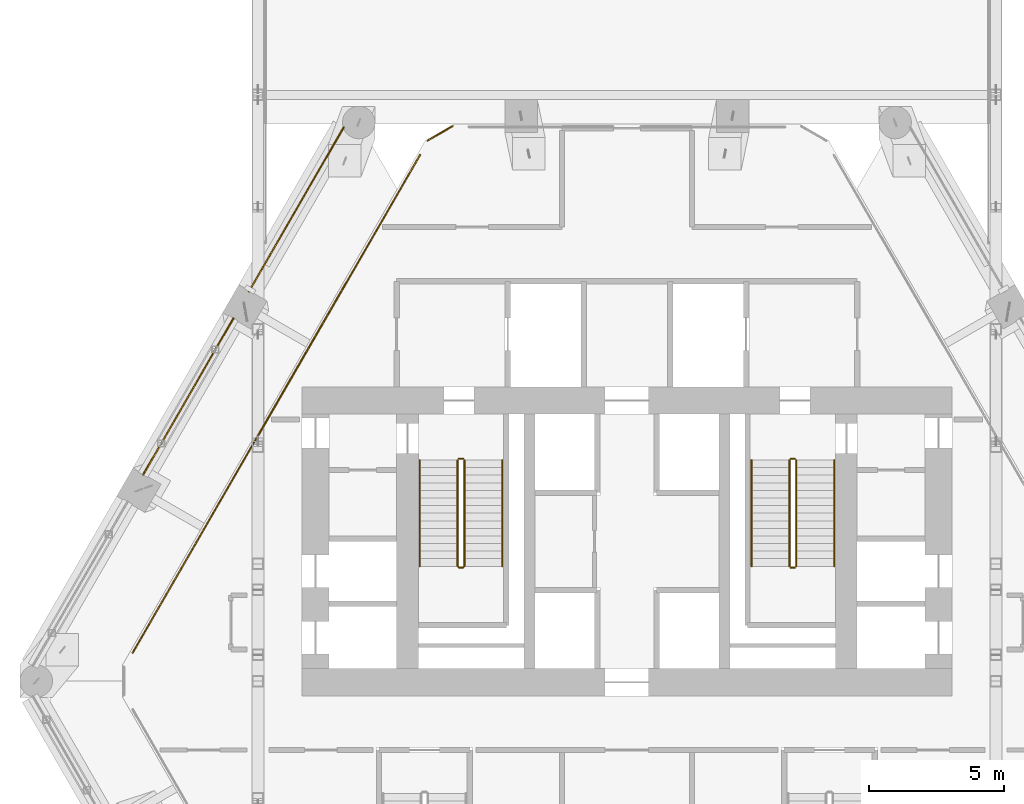
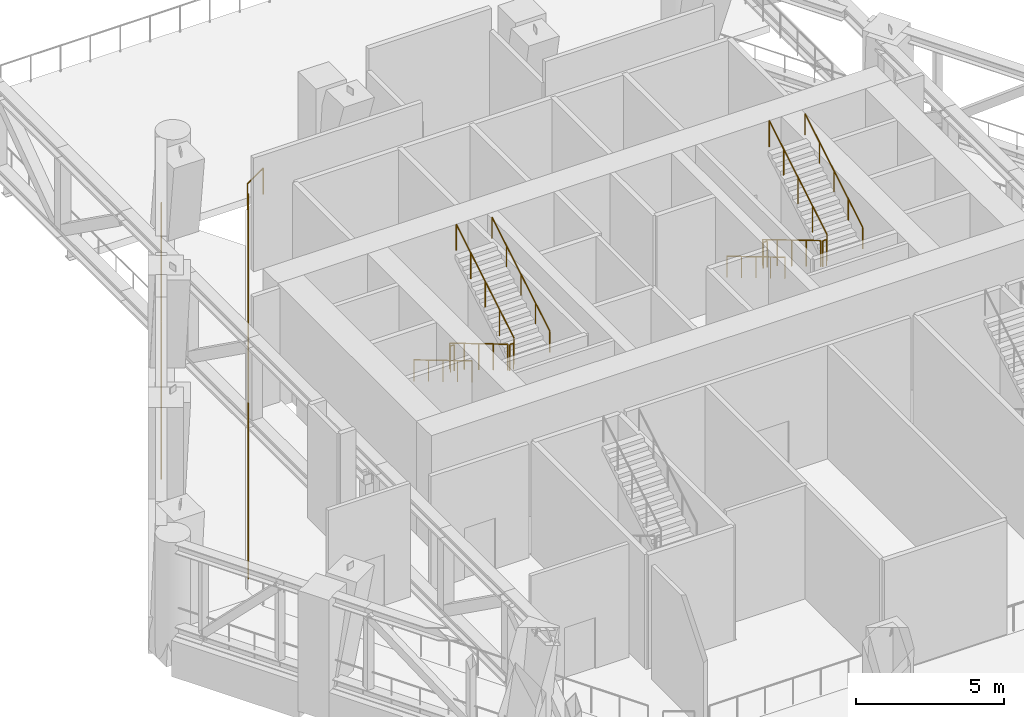
# One storey, part 21 of 22: 16 railings.
"""IFC4 building model written with IfcOpenShell, lengths in metres."""

from ifc_helpers import new_model, si_unit, direction, frame, origin, origin_2d, place, context, subcontext, project, spatial, circle, extrude, material, type_object, element, save


model = new_model("IFC4")

# Units and contexts
model_context = context("Model", 3, precision=1e-05, world=origin(), true_north=direction((0.0, 1.0)))
body_context = subcontext(model_context, "Body", "Model", "MODEL_VIEW")
ifc_project = project(units=[si_unit("LENGTHUNIT", "METRE"), si_unit("AREAUNIT", "SQUARE_METRE"), si_unit("VOLUMEUNIT", "CUBIC_METRE"), si_unit("PLANEANGLEUNIT", "RADIAN"), si_unit("MASSUNIT", "GRAM", prefix="KILO")], contexts=[model_context])

# Site, building, storey
site_placement = place(None, origin())
site = spatial("IfcSite", under=ifc_project, at=site_placement, CompositionType="ELEMENT")
building_placement = place(site_placement, origin())
building = spatial("IfcBuilding", under=site, at=building_placement, Name="Ostrander Bayou Hotel Tower", CompositionType="ELEMENT")
storey_placement = place(building_placement, frame((0.0, 0.0, 146.0)))
storey = spatial("IfcBuildingStorey", under=building, at=storey_placement, Name="L36", CompositionType="ELEMENT", Elevation=146.0)

# Railings
ifc_material_1 = material(Name="Stainless steel and clear glass", Category="steel")
railing_type_1 = type_object("IfcRailingType", Name="GR1 guard 1100 mm", PredefinedType="GUARDRAIL", material=ifc_material_1)
railing_1_placement = place(storey_placement, frame((-10.450439453125, 19.286376953125, 0.0)))
element("IfcRailing", 1, at=railing_1_placement, inside=storey, type_object=railing_type_1, Name="GR1 L36 NW-1 open band guard", PredefinedType="GUARDRAIL", context=body_context, shape_type="SweptSolid", body=[
    extrude(circle(Radius=0.02490234375, at=origin_2d()), frame((0.0, 0.0, 1.0751953125), z_axis=(-0.499991127072, -0.866030526511, 0.0), x_axis=(0.866030526511, -0.499991127072, 0.0)), (0.0, 0.0, 1.0), 7.000732421875),
    extrude(circle(Radius=0.02001953125, at=origin_2d()), origin(), (0.0, 0.0, 1.0), 1.050048828125),
    extrude(circle(Radius=0.02001953125, at=origin_2d()), frame((-0.58349609375, -1.010498046875, 0.0)), (0.0, 0.0, 1.0), 1.050048828125),
    extrude(circle(Radius=0.02001953125, at=origin_2d()), frame((-1.166748046875, -2.02099609375, 0.0)), (0.0, 0.0, 1.0), 1.050048828125),
    extrude(circle(Radius=0.02001953125, at=origin_2d()), frame((-1.75, -3.03125, 0.0)), (0.0, 0.0, 1.0), 1.050048828125),
    extrude(circle(Radius=0.02001953125, at=origin_2d()), frame((-2.33349609375, -4.041748046875, 0.0)), (0.0, 0.0, 1.0), 1.050048828125),
    extrude(circle(Radius=0.02001953125, at=origin_2d()), frame((-2.9169921875, -5.05224609375, 0.0)), (0.0, 0.0, 1.0), 1.050048828125),
    extrude(circle(Radius=0.02001953125, at=origin_2d()), frame((-3.500244140625, -6.062744140625, 0.0)), (0.0, 0.0, 1.0), 1.050048828125),
])
railing_2_placement = place(storey_placement, frame((-14.520751953125, 12.236572265625, 0.0)))
element("IfcRailing", 2, at=railing_2_placement, inside=storey, type_object=railing_type_1, Name="GR1 L36 NW-2 open band guard", PredefinedType="GUARDRAIL", context=body_context, shape_type="SweptSolid", body=[
    extrude(circle(Radius=0.02490234375, at=origin_2d()), frame((0.0, 0.0, 1.0751953125), z_axis=(-0.499983182885, -0.866035112932, 0.0), x_axis=(0.866035112932, -0.499983182885, 0.0)), (0.0, 0.0, 1.0), 6.673583984375),
    extrude(circle(Radius=0.02001953125, at=origin_2d()), origin(), (0.0, 0.0, 1.0), 1.050048828125),
    extrude(circle(Radius=0.02001953125, at=origin_2d()), frame((-0.55615234375, -0.96337890625, 0.0)), (0.0, 0.0, 1.0), 1.050048828125),
    extrude(circle(Radius=0.02001953125, at=origin_2d()), frame((-1.1123046875, -1.926513671875, 0.0)), (0.0, 0.0, 1.0), 1.050048828125),
    extrude(circle(Radius=0.02001953125, at=origin_2d()), frame((-1.66845703125, -2.8896484375, 0.0)), (0.0, 0.0, 1.0), 1.050048828125),
    extrude(circle(Radius=0.02001953125, at=origin_2d()), frame((-2.224365234375, -3.85302734375, 0.0)), (0.0, 0.0, 1.0), 1.050048828125),
    extrude(circle(Radius=0.02001953125, at=origin_2d()), frame((-2.780517578125, -4.81640625, 0.0)), (0.0, 0.0, 1.0), 1.050048828125),
    extrude(circle(Radius=0.02001953125, at=origin_2d()), frame((-3.336669921875, -5.779541015625, 0.0)), (0.0, 0.0, 1.0), 1.050048828125),
])
railing_3_placement = place(storey_placement, frame((-6.435791015625, 19.324951171875, 0.0)))
element("IfcRailing", 3, at=railing_3_placement, inside=storey, type_object=railing_type_1, Name="GR1 L36 corner guard 1", PredefinedType="GUARDRAIL", context=body_context, shape_type="SweptSolid", body=[
    extrude(circle(Radius=0.02490234375, at=origin_2d()), frame((0.0, 0.0, 1.0751953125), z_axis=(-0.866048165231, -0.499960573946, 0.0), x_axis=(0.499960573946, -0.866048165231, 0.0)), (0.0, 0.0, 1.0), 1.06494140625),
    extrude(circle(Radius=0.02001953125, at=origin_2d()), origin(), (0.0, 0.0, 1.0), 1.050048828125),
    extrude(circle(Radius=0.02001953125, at=origin_2d()), frame((-0.92236328125, -0.532470703125, 0.0)), (0.0, 0.0, 1.0), 1.050048828125),
])
railing_4_placement = place(storey_placement, frame((-18.2470703125, -0.117919921875, 0.0)))
element("IfcRailing", 4, at=railing_4_placement, inside=storey, type_object=railing_type_1, Name="GR1 L36 edge guard 6", PredefinedType="GUARDRAIL", context=body_context, shape_type="SweptSolid", body=[
    extrude(circle(Radius=0.02490234375, at=origin_2d()), frame((0.0, 0.0, 1.0751953125), z_axis=(0.499995637572, 0.866027922419, 0.0), x_axis=(-0.866027922419, 0.499995637572, 0.0)), (0.0, 0.0, 1.0), 21.222412109375),
    extrude(circle(Radius=0.02001953125, at=origin_2d()), origin(), (0.0, 0.0, 1.0), 1.050048828125),
    extrude(circle(Radius=0.02001953125, at=origin_2d()), frame((0.589599609375, 1.02099609375, 0.0)), (0.0, 0.0, 1.0), 1.050048828125),
    extrude(circle(Radius=0.02001953125, at=origin_2d()), frame((1.178955078125, 2.042236328125, 0.0)), (0.0, 0.0, 1.0), 1.050048828125),
    extrude(circle(Radius=0.02001953125, at=origin_2d()), frame((1.7685546875, 3.063232421875, 0.0)), (0.0, 0.0, 1.0), 1.050048828125),
    extrude(circle(Radius=0.02001953125, at=origin_2d()), frame((2.35791015625, 4.084228515625, 0.0)), (0.0, 0.0, 1.0), 1.050048828125),
    extrude(circle(Radius=0.02001953125, at=origin_2d()), frame((2.947509765625, 5.105224609375, 0.0)), (0.0, 0.0, 1.0), 1.050048828125),
    extrude(circle(Radius=0.02001953125, at=origin_2d()), frame((3.537109375, 6.12646484375, 0.0)), (0.0, 0.0, 1.0), 1.050048828125),
    extrude(circle(Radius=0.02001953125, at=origin_2d()), frame((4.12646484375, 7.1474609375, 0.0)), (0.0, 0.0, 1.0), 1.050048828125),
    extrude(circle(Radius=0.02001953125, at=origin_2d()), frame((4.716064453125, 8.16845703125, 0.0)), (0.0, 0.0, 1.0), 1.050048828125),
    extrude(circle(Radius=0.02001953125, at=origin_2d()), frame((5.3056640625, 9.189453125, 0.0)), (0.0, 0.0, 1.0), 1.050048828125),
    extrude(circle(Radius=0.02001953125, at=origin_2d()), frame((5.89501953125, 10.210693359375, 0.0)), (0.0, 0.0, 1.0), 1.050048828125),
    extrude(circle(Radius=0.02001953125, at=origin_2d()), frame((6.484619140625, 11.231689453125, 0.0)), (0.0, 0.0, 1.0), 1.050048828125),
    extrude(circle(Radius=0.02001953125, at=origin_2d()), frame((7.073974609375, 12.252685546875, 0.0)), (0.0, 0.0, 1.0), 1.050048828125),
    extrude(circle(Radius=0.02001953125, at=origin_2d()), frame((7.66357421875, 13.27392578125, 0.0)), (0.0, 0.0, 1.0), 1.050048828125),
    extrude(circle(Radius=0.02001953125, at=origin_2d()), frame((8.253173828125, 14.294921875, 0.0)), (0.0, 0.0, 1.0), 1.050048828125),
    extrude(circle(Radius=0.02001953125, at=origin_2d()), frame((8.842529296875, 15.31591796875, 0.0)), (0.0, 0.0, 1.0), 1.050048828125),
    extrude(circle(Radius=0.02001953125, at=origin_2d()), frame((9.43212890625, 16.3369140625, 0.0)), (0.0, 0.0, 1.0), 1.050048828125),
    extrude(circle(Radius=0.02001953125, at=origin_2d()), frame((10.021484375, 17.358154296875, 0.0)), (0.0, 0.0, 1.0), 1.050048828125),
    extrude(circle(Radius=0.02001953125, at=origin_2d()), frame((10.611083984375, 18.379150390625, 0.0)), (0.0, 0.0, 1.0), 1.050048828125),
])
ifc_material_2 = material(Name="Steel ASTM A500 Gr C", Category="steel")
railing_type_2 = type_object("IfcRailingType", Name="GR1 stair guard 1100 mm steel", PredefinedType="GUARDRAIL", material=ifc_material_2)
railing_5_placement = place(storey_placement, frame((-6.25, 7.0, 0.166748046875)))
element("IfcRailing", 5, at=railing_5_placement, inside=storey, type_object=railing_type_2, Name="L36 STA stair guard 1", PredefinedType="GUARDRAIL", context=body_context, shape_type="SweptSolid", body=[
    extrude(circle(Radius=0.02392578125, at=origin_2d()), frame((0.0, 0.0, 1.076171875), z_axis=(0.0, -0.859296244711, 0.511478214419), x_axis=(1.0, 0.0, 0.0)), (0.0, 0.0, 1.0), 4.561767578125),
    extrude(circle(Radius=0.02099609375, at=origin_2d()), origin(), (0.0, 0.0, 1.0), 1.052001953125),
    extrude(circle(Radius=0.02099609375, at=origin_2d()), frame((0.0, -0.97998046875, 0.583251953125)), (0.0, 0.0, 1.0), 1.052001953125),
    extrude(circle(Radius=0.02099609375, at=origin_2d()), frame((0.0, -1.9599609375, 1.16650390625)), (0.0, 0.0, 1.0), 1.052001953125),
    extrude(circle(Radius=0.02099609375, at=origin_2d()), frame((0.0, -2.93994140625, 1.75)), (0.0, 0.0, 1.0), 1.052001953125),
    extrude(circle(Radius=0.02099609375, at=origin_2d()), frame((0.0, -3.919921875, 2.333251953125)), (0.0, 0.0, 1.0), 1.052001953125),
])
railing_6_placement = place(storey_placement, frame((-6.199951171875, 3.030029296875, 2.5)))
element("IfcRailing", 6, at=railing_6_placement, inside=storey, type_object=railing_type_2, Name="L36 STA stair guard 2", PredefinedType="GUARDRAIL", context=body_context, shape_type="SweptSolid", body=[
    extrude(circle(Radius=0.02392578125, at=origin_2d()), frame((0.0, 0.0, 1.076171875), z_axis=(1.0, 0.0, 0.0), x_axis=(0.0, 1.0, 0.0)), (0.0, 0.0, 1.0), 0.14990234375),
    extrude(circle(Radius=0.02099609375, at=origin_2d()), origin(), (0.0, 0.0, 1.0), 1.052001953125),
    extrude(circle(Radius=0.02099609375, at=origin_2d()), frame((0.14990234375, 0.0, 0.0)), (0.0, 0.0, 1.0), 1.052001953125),
])
railing_7_placement = place(storey_placement, frame((-6.0, 3.080078125, 2.666748046875)))
element("IfcRailing", 7, at=railing_7_placement, inside=storey, type_object=railing_type_2, Name="L36 STA stair guard 3", PredefinedType="GUARDRAIL", context=body_context, shape_type="SweptSolid", body=[
    extrude(circle(Radius=0.02392578125, at=origin_2d()), frame((0.0, 0.0, 1.076171875), z_axis=(0.0, 0.859296244711, 0.511478214419), x_axis=(-1.0, 0.0, 0.0)), (0.0, 0.0, 1.0), 4.561767578125),
    extrude(circle(Radius=0.02099609375, at=origin_2d()), origin(), (0.0, 0.0, 1.0), 1.052001953125),
    extrude(circle(Radius=0.02099609375, at=origin_2d()), frame((0.0, 0.97998046875, 0.583251953125)), (0.0, 0.0, 1.0), 1.052001953125),
    extrude(circle(Radius=0.02099609375, at=origin_2d()), frame((0.0, 1.9599609375, 1.16650390625)), (0.0, 0.0, 1.0), 1.052001953125),
    extrude(circle(Radius=0.02099609375, at=origin_2d()), frame((0.0, 2.93994140625, 1.75)), (0.0, 0.0, 1.0), 1.052001953125),
    extrude(circle(Radius=0.02099609375, at=origin_2d()), frame((0.0, 3.919921875, 2.333251953125)), (0.0, 0.0, 1.0), 1.052001953125),
])
railing_8_placement = place(storey_placement, frame((-6.199951171875, 7.050048828125, 0.0)))
element("IfcRailing", 8, at=railing_8_placement, inside=storey, type_object=railing_type_2, Name="L36 STA stair guard 4", PredefinedType="GUARDRAIL", context=body_context, shape_type="SweptSolid", body=[
    extrude(circle(Radius=0.02392578125, at=origin_2d()), frame((0.0, 0.0, 1.076171875), z_axis=(1.0, 0.0, 0.0), x_axis=(0.0, 1.0, 0.0)), (0.0, 0.0, 1.0), 0.14990234375),
    extrude(circle(Radius=0.02099609375, at=origin_2d()), origin(), (0.0, 0.0, 1.0), 1.052001953125),
    extrude(circle(Radius=0.02099609375, at=origin_2d()), frame((0.14990234375, 0.0, 0.0)), (0.0, 0.0, 1.0), 1.052001953125),
])
railing_9_placement = place(storey_placement, frame((6.0, 7.0, 0.166748046875)))
element("IfcRailing", 9, at=railing_9_placement, inside=storey, type_object=railing_type_2, Name="L36 STB stair guard 1", PredefinedType="GUARDRAIL", context=body_context, shape_type="SweptSolid", body=[
    extrude(circle(Radius=0.02392578125, at=origin_2d()), frame((0.0, 0.0, 1.076171875), z_axis=(0.0, -0.859296244711, 0.511478214419), x_axis=(1.0, 0.0, 0.0)), (0.0, 0.0, 1.0), 4.561767578125),
    extrude(circle(Radius=0.02099609375, at=origin_2d()), origin(), (0.0, 0.0, 1.0), 1.052001953125),
    extrude(circle(Radius=0.02099609375, at=origin_2d()), frame((0.0, -0.97998046875, 0.583251953125)), (0.0, 0.0, 1.0), 1.052001953125),
    extrude(circle(Radius=0.02099609375, at=origin_2d()), frame((0.0, -1.9599609375, 1.16650390625)), (0.0, 0.0, 1.0), 1.052001953125),
    extrude(circle(Radius=0.02099609375, at=origin_2d()), frame((0.0, -2.93994140625, 1.75)), (0.0, 0.0, 1.0), 1.052001953125),
    extrude(circle(Radius=0.02099609375, at=origin_2d()), frame((0.0, -3.919921875, 2.333251953125)), (0.0, 0.0, 1.0), 1.052001953125),
])
railing_10_placement = place(storey_placement, frame((6.050048828125, 3.030029296875, 2.5)))
element("IfcRailing", 10, at=railing_10_placement, inside=storey, type_object=railing_type_2, Name="L36 STB stair guard 2", PredefinedType="GUARDRAIL", context=body_context, shape_type="SweptSolid", body=[
    extrude(circle(Radius=0.02392578125, at=origin_2d()), frame((0.0, 0.0, 1.076171875), z_axis=(1.0, 0.0, 0.0), x_axis=(0.0, 1.0, 0.0)), (0.0, 0.0, 1.0), 0.14990234375),
    extrude(circle(Radius=0.02099609375, at=origin_2d()), origin(), (0.0, 0.0, 1.0), 1.052001953125),
    extrude(circle(Radius=0.02099609375, at=origin_2d()), frame((0.14990234375, 0.0, 0.0)), (0.0, 0.0, 1.0), 1.052001953125),
])
railing_11_placement = place(storey_placement, frame((6.25, 3.080078125, 2.666748046875)))
element("IfcRailing", 11, at=railing_11_placement, inside=storey, type_object=railing_type_2, Name="L36 STB stair guard 3", PredefinedType="GUARDRAIL", context=body_context, shape_type="SweptSolid", body=[
    extrude(circle(Radius=0.02392578125, at=origin_2d()), frame((0.0, 0.0, 1.076171875), z_axis=(0.0, 0.859296244711, 0.511478214419), x_axis=(-1.0, 0.0, 0.0)), (0.0, 0.0, 1.0), 4.561767578125),
    extrude(circle(Radius=0.02099609375, at=origin_2d()), origin(), (0.0, 0.0, 1.0), 1.052001953125),
    extrude(circle(Radius=0.02099609375, at=origin_2d()), frame((0.0, 0.97998046875, 0.583251953125)), (0.0, 0.0, 1.0), 1.052001953125),
    extrude(circle(Radius=0.02099609375, at=origin_2d()), frame((0.0, 1.9599609375, 1.16650390625)), (0.0, 0.0, 1.0), 1.052001953125),
    extrude(circle(Radius=0.02099609375, at=origin_2d()), frame((0.0, 2.93994140625, 1.75)), (0.0, 0.0, 1.0), 1.052001953125),
    extrude(circle(Radius=0.02099609375, at=origin_2d()), frame((0.0, 3.919921875, 2.333251953125)), (0.0, 0.0, 1.0), 1.052001953125),
])
railing_12_placement = place(storey_placement, frame((6.050048828125, 7.050048828125, 0.0)))
element("IfcRailing", 12, at=railing_12_placement, inside=storey, type_object=railing_type_2, Name="L36 STB stair guard 4", PredefinedType="GUARDRAIL", context=body_context, shape_type="SweptSolid", body=[
    extrude(circle(Radius=0.02392578125, at=origin_2d()), frame((0.0, 0.0, 1.076171875), z_axis=(1.0, 0.0, 0.0), x_axis=(0.0, 1.0, 0.0)), (0.0, 0.0, 1.0), 0.14990234375),
    extrude(circle(Radius=0.02099609375, at=origin_2d()), origin(), (0.0, 0.0, 1.0), 1.052001953125),
    extrude(circle(Radius=0.02099609375, at=origin_2d()), frame((0.14990234375, 0.0, 0.0)), (0.0, 0.0, 1.0), 1.052001953125),
])
ifc_material_3 = material(Name="Steel ASTM A500 Gr C", Category="steel")
railing_type_3 = type_object("IfcRailingType", Name="HR1 stair handrail 900 mm steel", PredefinedType="HANDRAIL", material=ifc_material_3)
railing_13_placement = place(storey_placement, frame((-7.64990234375, 7.0, 0.166748046875)))
element("IfcRailing", 13, at=railing_13_placement, inside=storey, type_object=railing_type_3, Name="L36 STA stair handrail 1", PredefinedType="HANDRAIL", context=body_context, shape_type="SweptSolid", body=[
    extrude(circle(Radius=0.02392578125, at=origin_2d()), frame((0.0, 0.0, 0.8759765625), z_axis=(0.0, -0.859296244711, 0.511478214419), x_axis=(1.0, 0.0, 0.0)), (0.0, 0.0, 1.0), 4.561767578125),
    extrude(circle(Radius=0.02099609375, at=origin_2d()), origin(), (0.0, 0.0, 1.0), 0.851806640625),
    extrude(circle(Radius=0.02099609375, at=origin_2d()), frame((0.0, -0.97998046875, 0.583251953125)), (0.0, 0.0, 1.0), 0.851806640625),
    extrude(circle(Radius=0.02099609375, at=origin_2d()), frame((0.0, -1.9599609375, 1.16650390625)), (0.0, 0.0, 1.0), 0.851806640625),
    extrude(circle(Radius=0.02099609375, at=origin_2d()), frame((0.0, -2.93994140625, 1.75)), (0.0, 0.0, 1.0), 0.851806640625),
    extrude(circle(Radius=0.02099609375, at=origin_2d()), frame((0.0, -3.919921875, 2.333251953125)), (0.0, 0.0, 1.0), 0.851806640625),
])
railing_14_placement = place(storey_placement, frame((-4.60009765625, 3.080078125, 2.666748046875)))
element("IfcRailing", 14, at=railing_14_placement, inside=storey, type_object=railing_type_3, Name="L36 STA stair handrail 2", PredefinedType="HANDRAIL", context=body_context, shape_type="SweptSolid", body=[
    extrude(circle(Radius=0.02392578125, at=origin_2d()), frame((0.0, 0.0, 0.8759765625), z_axis=(0.0, 0.859296244711, 0.511478214419), x_axis=(-1.0, 0.0, 0.0)), (0.0, 0.0, 1.0), 4.561767578125),
    extrude(circle(Radius=0.02099609375, at=origin_2d()), origin(), (0.0, 0.0, 1.0), 0.851806640625),
    extrude(circle(Radius=0.02099609375, at=origin_2d()), frame((0.0, 0.97998046875, 0.583251953125)), (0.0, 0.0, 1.0), 0.851806640625),
    extrude(circle(Radius=0.02099609375, at=origin_2d()), frame((0.0, 1.9599609375, 1.16650390625)), (0.0, 0.0, 1.0), 0.851806640625),
    extrude(circle(Radius=0.02099609375, at=origin_2d()), frame((0.0, 2.93994140625, 1.75)), (0.0, 0.0, 1.0), 0.851806640625),
    extrude(circle(Radius=0.02099609375, at=origin_2d()), frame((0.0, 3.919921875, 2.333251953125)), (0.0, 0.0, 1.0), 0.851806640625),
])
railing_15_placement = place(storey_placement, frame((4.60009765625, 7.0, 0.166748046875)))
element("IfcRailing", 15, at=railing_15_placement, inside=storey, type_object=railing_type_3, Name="L36 STB stair handrail 1", PredefinedType="HANDRAIL", context=body_context, shape_type="SweptSolid", body=[
    extrude(circle(Radius=0.02392578125, at=origin_2d()), frame((0.0, 0.0, 0.8759765625), z_axis=(0.0, -0.859296244711, 0.511478214419), x_axis=(1.0, 0.0, 0.0)), (0.0, 0.0, 1.0), 4.561767578125),
    extrude(circle(Radius=0.02099609375, at=origin_2d()), origin(), (0.0, 0.0, 1.0), 0.851806640625),
    extrude(circle(Radius=0.02099609375, at=origin_2d()), frame((0.0, -0.97998046875, 0.583251953125)), (0.0, 0.0, 1.0), 0.851806640625),
    extrude(circle(Radius=0.02099609375, at=origin_2d()), frame((0.0, -1.9599609375, 1.16650390625)), (0.0, 0.0, 1.0), 0.851806640625),
    extrude(circle(Radius=0.02099609375, at=origin_2d()), frame((0.0, -2.93994140625, 1.75)), (0.0, 0.0, 1.0), 0.851806640625),
    extrude(circle(Radius=0.02099609375, at=origin_2d()), frame((0.0, -3.919921875, 2.333251953125)), (0.0, 0.0, 1.0), 0.851806640625),
])
railing_16_placement = place(storey_placement, frame((7.64990234375, 3.080078125, 2.666748046875)))
element("IfcRailing", 16, at=railing_16_placement, inside=storey, type_object=railing_type_3, Name="L36 STB stair handrail 2", PredefinedType="HANDRAIL", context=body_context, shape_type="SweptSolid", body=[
    extrude(circle(Radius=0.02392578125, at=origin_2d()), frame((0.0, 0.0, 0.8759765625), z_axis=(0.0, 0.859296244711, 0.511478214419), x_axis=(-1.0, 0.0, 0.0)), (0.0, 0.0, 1.0), 4.561767578125),
    extrude(circle(Radius=0.02099609375, at=origin_2d()), origin(), (0.0, 0.0, 1.0), 0.851806640625),
    extrude(circle(Radius=0.02099609375, at=origin_2d()), frame((0.0, 0.97998046875, 0.583251953125)), (0.0, 0.0, 1.0), 0.851806640625),
    extrude(circle(Radius=0.02099609375, at=origin_2d()), frame((0.0, 1.9599609375, 1.16650390625)), (0.0, 0.0, 1.0), 0.851806640625),
    extrude(circle(Radius=0.02099609375, at=origin_2d()), frame((0.0, 2.93994140625, 1.75)), (0.0, 0.0, 1.0), 0.851806640625),
    extrude(circle(Radius=0.02099609375, at=origin_2d()), frame((0.0, 3.919921875, 2.333251953125)), (0.0, 0.0, 1.0), 0.851806640625),
])

save(model, "model.ifc")
